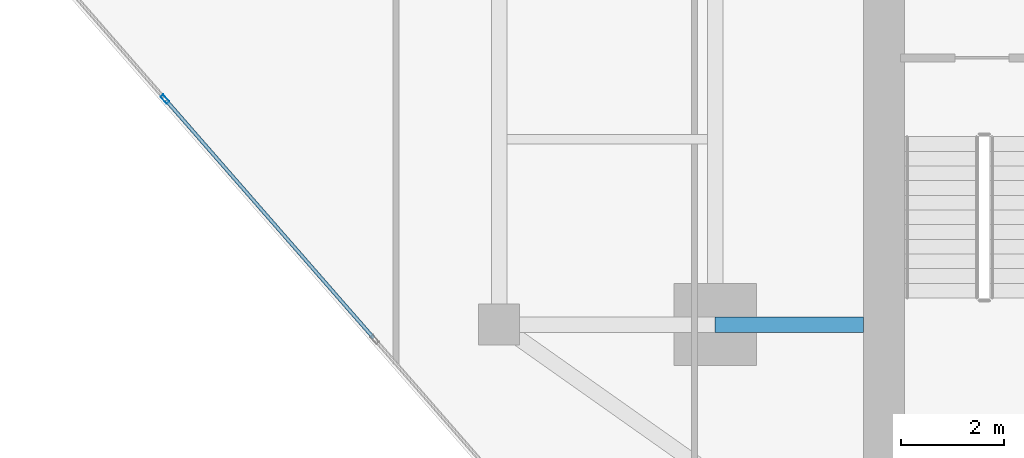
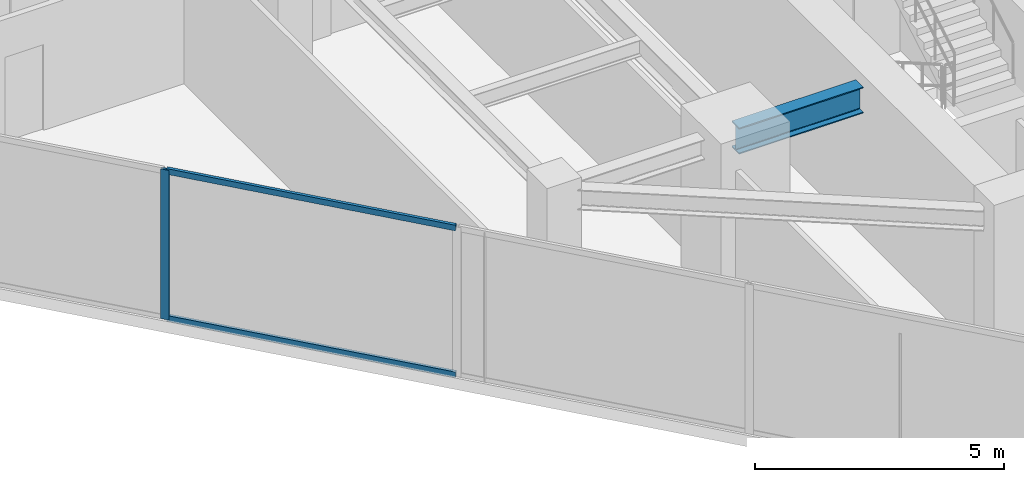
# One storey, part 4 of 24: 3 members, 1 beam, 1 element without a shape of its own.
"""IFC4 building model written with IfcOpenShell, lengths in metres."""

from ifc_helpers import new_model, si_unit, direction, frame, origin, origin_2d, place, context, subcontext, project, spatial, hollow_rectangle, i_section, extrude, source, transform, mapped, material, material_profile, profile_set, type_object, type_shapes, element, aggregate, save


model = new_model("IFC4")

# Units and contexts
model_context = context("Model", 3, precision=1e-05, world=origin(), true_north=direction((0.0, 1.0)))
body_context = subcontext(model_context, "Body", "Model", "MODEL_VIEW")
ifc_project = project(units=[si_unit("LENGTHUNIT", "METRE"), si_unit("AREAUNIT", "SQUARE_METRE"), si_unit("VOLUMEUNIT", "CUBIC_METRE"), si_unit("PLANEANGLEUNIT", "RADIAN"), si_unit("MASSUNIT", "GRAM", prefix="KILO")], contexts=[model_context])

# Site, building, storey
site_placement = place(None, origin())
site = spatial("IfcSite", under=ifc_project, at=site_placement, CompositionType="ELEMENT")
building_placement = place(site_placement, origin())
building = spatial("IfcBuilding", under=site, at=building_placement, Name="Krantzveldt Concourse Tower", CompositionType="ELEMENT")
storey_placement = place(building_placement, frame((0.0, 0.0, 250.75)))
storey = spatial("IfcBuildingStorey", under=building, at=storey_placement, Name="L61", CompositionType="ELEMENT", Elevation=250.75)

# Beam
ifc_material_1 = material(Name="Steel S355JR", Category="steel")
ifc_material_profile_1 = material_profile(ifc_material_1, i_section(OverallWidth=0.300048828125, OverallDepth=0.639892578125, WebThickness=0.013427734375, FlangeThickness=0.02587890625, FilletRadius=0.027099609375, at=origin_2d()), Name="Steel S355JR", Category="steel")
ifc_profile_set_1 = profile_set([ifc_material_profile_1], Name="Steel S355JR - HEA 650")
beam_type = type_object("IfcBeamType", Name="BM-B-HEA650", PredefinedType="BEAM", material=ifc_profile_set_1)
shared_shape_1 = source(origin(), body_context, "Body", "SweptSolid", [
    extrude(i_section(OverallWidth=0.300048828125, OverallDepth=0.639892578125, WebThickness=0.013427734375, FlangeThickness=0.02587890625, FilletRadius=0.027099609375, at=origin_2d()), origin(), (0.0, 0.0, 1.0), 2.880126953125),
])
type_shapes(beam_type, [shared_shape_1])
beam_placement = place(storey_placement, frame((25.199951171875, 15.89990234375, 3.35009765625), z_axis=(1.0, 0.0, 0.0), x_axis=(0.0, 1.0, 0.0)))
element("IfcBeam", 1, at=beam_placement, inside=storey, type_object=beam_type, Name="L61 Tower Girder BG-CW1", PredefinedType="BEAM", context=body_context, shape_type="MappedRepresentation", body=[
    mapped(shared_shape_1, transform((0.0, 0.0, 0.0), x_axis=(1.0, 0.0, 0.0), y_axis=(0.0, 1.0, 0.0), z_axis=(0.0, 0.0, 1.0), scale=1.0)),
])

# Curtain wall, members
ifc_material_2 = material(Name="Anodised aluminium 6063-T6", Category="aluminium")
curtain_wall_type = type_object("IfcCurtainWallType", Name="CW3", PredefinedType="USERDEFINED", material=ifc_material_2)
curtain_wall_placement = place(storey_placement, origin())
curtain_wall = element("IfcCurtainWall", 2, at=curtain_wall_placement, inside=storey, type_object=curtain_wall_type, Name="CW-L61-F04", ObjectType="UNITISED CURTAIN WALL", PredefinedType="USERDEFINED")
ifc_material_profile_2 = material_profile(ifc_material_2, hollow_rectangle(XDim=0.070068359375, YDim=0.179931640625, WallThickness=0.0048828125, at=origin_2d()), Name="Anodised aluminium 6063-T6", Category="aluminium")
ifc_profile_set_2 = profile_set([ifc_material_profile_2], Name="Anodised aluminium 6063-T6 - ALU-MULL 180x70x5")
member_type_1 = type_object("IfcMemberType", Name="CW-MUL-180", PredefinedType="MULLION", material=ifc_profile_set_2)
shared_shape_2 = source(origin(), body_context, "Body", "SweptSolid", [
    extrude(hollow_rectangle(XDim=0.070068359375, YDim=0.179931640625, WallThickness=0.0048828125, at=origin_2d()), origin(), (0.0, 0.0, 1.0), 3.669921875),
])
type_shapes(member_type_1, [shared_shape_2])
member_1_placement = place(storey_placement, frame((14.509033203125, 20.28173828125, 0.0), z_axis=(0.0, 0.0, 1.0), x_axis=(0.753276529034, 0.657703938567, 0.0)))
member_1 = element("IfcMember", 3, at=member_1_placement, type_object=member_type_1, Name="CW-Z34 mullion 2", PredefinedType="MULLION", context=body_context, shape_type="MappedRepresentation", body=[
    mapped(shared_shape_2, transform((0.0, 0.0, 0.0), x_axis=(1.0, 0.0, 0.0), y_axis=(0.0, 1.0, 0.0), z_axis=(0.0, 0.0, 1.0), scale=1.0)),
])
ifc_material_profile_3 = material_profile(ifc_material_2, hollow_rectangle(XDim=0.070068359375, YDim=0.139892578125, WallThickness=0.0048828125, at=origin_2d()), Name="Anodised aluminium 6063-T6", Category="aluminium")
ifc_profile_set_3 = profile_set([ifc_material_profile_3], Name="Anodised aluminium 6063-T6 - ALU-TRAN 140x70x5")
member_type_2 = type_object("IfcMemberType", Name="CW-TRN-150", PredefinedType="USERDEFINED", material=ifc_profile_set_3)
shared_shape_3 = source(origin(), body_context, "Body", "SweptSolid", [
    extrude(hollow_rectangle(XDim=0.070068359375, YDim=0.139892578125, WallThickness=0.0048828125, at=origin_2d()), origin(), (0.0, 0.0, 1.0), 6.130126953125),
])
type_shapes(member_type_2, [shared_shape_3])
member_2_placement = place(storey_placement, frame((14.531982421875, 20.25537109375, 0.034912109375), z_axis=(0.657697827635, -0.753281864593, 0.0), x_axis=(0.753281864593, 0.657697827635, 0.0)))
member_2 = element("IfcMember", 4, at=member_2_placement, type_object=member_type_2, Name="CW-Z34 transom 2.1", ObjectType="TRANSOM", PredefinedType="USERDEFINED", context=body_context, shape_type="MappedRepresentation", body=[
    mapped(shared_shape_3, transform((0.0, 0.0, 0.0), x_axis=(1.0, 0.0, 0.0), y_axis=(0.0, 1.0, 0.0), z_axis=(0.0, 0.0, 1.0), scale=1.0)),
])
member_3_placement = place(storey_placement, frame((14.531982421875, 20.25537109375, 3.635009765625), z_axis=(0.657697827635, -0.753281864593, 0.0), x_axis=(0.753281864593, 0.657697827635, 0.0)))
member_3 = element("IfcMember", 5, at=member_3_placement, type_object=member_type_2, Name="CW-Z34 transom 2.2", ObjectType="TRANSOM", PredefinedType="USERDEFINED", context=body_context, shape_type="MappedRepresentation", body=[
    mapped(shared_shape_3, transform((0.0, 0.0, 0.0), x_axis=(1.0, 0.0, 0.0), y_axis=(0.0, 1.0, 0.0), z_axis=(0.0, 0.0, 1.0), scale=1.0)),
])
aggregate(curtain_wall, [member_1, member_2, member_3])

save(model, "model.ifc")
